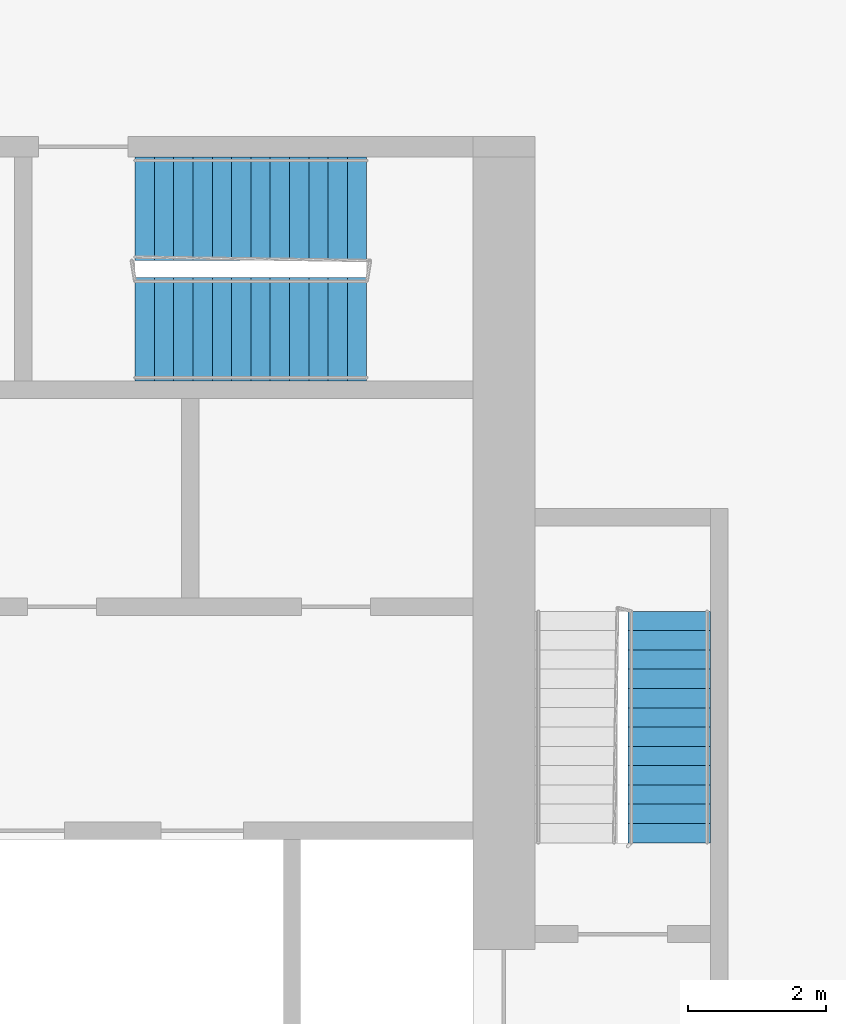
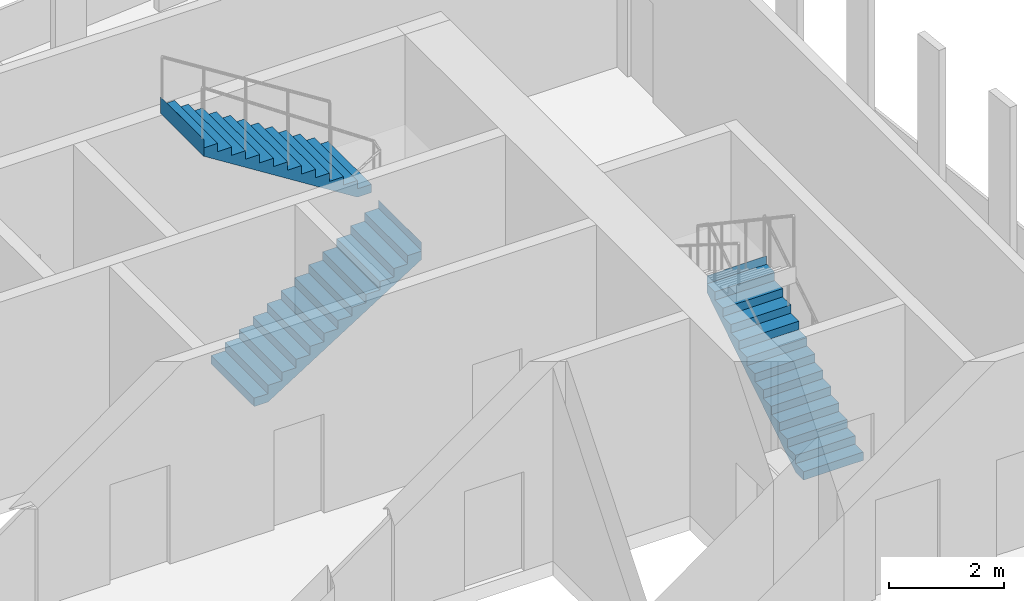
# One storey, part 24 of 26: 3 stair flights, 2 elements without a shape of their own.
"""IFC4 building model written with IfcOpenShell, lengths in metres."""

from ifc_helpers import new_model, si_unit, direction, frame, origin, place, context, subcontext, project, spatial, faceted_brep, material, type_object, element, aggregate, save


model = new_model("IFC4")

# Units and contexts
model_context = context("Model", 3, precision=1e-05, world=origin(), true_north=direction((0.0, 1.0)))
body_context = subcontext(model_context, "Body", "Model", "MODEL_VIEW")
ifc_project = project(units=[si_unit("LENGTHUNIT", "METRE"), si_unit("AREAUNIT", "SQUARE_METRE"), si_unit("VOLUMEUNIT", "CUBIC_METRE"), si_unit("PLANEANGLEUNIT", "RADIAN"), si_unit("MASSUNIT", "GRAM", prefix="KILO")], contexts=[model_context])

# Site, building, storey
site_placement = place(None, origin())
site = spatial("IfcSite", under=ifc_project, at=site_placement, CompositionType="ELEMENT")
building_placement = place(site_placement, origin())
building = spatial("IfcBuilding", under=site, at=building_placement, Name="Kajstack Hotel Tower", CompositionType="ELEMENT")
storey_placement = place(building_placement, frame((0.0, 0.0, 206.5)))
storey = spatial("IfcBuildingStorey", under=building, at=storey_placement, Name="L50", CompositionType="ELEMENT", Elevation=206.5)

# Stair, stair flight
ifc_material = material(Name="Concrete C40/50", Category="concrete")
stair_type_1 = type_object("IfcStairType", Name="Exit stair 1200", PredefinedType="HALF_TURN_STAIR", material=ifc_material)
stair_1_placement = place(storey_placement, origin())
stair_1 = element("IfcStair", 1, at=stair_1_placement, inside=storey, type_object=stair_type_1, Name="L50 stair E1", PredefinedType="HALF_TURN_STAIR")
stair_flight_type_1 = type_object("IfcStairFlightType", Name="Exit stair flight 1200", PredefinedType="STRAIGHT", material=ifc_material)
stair_flight_1_placement = place(storey_placement, frame((33.449951171875, 5.25, 0.0), z_axis=(0.0, 0.0, 1.0), x_axis=(0.0, 1.0, 0.0)))
stair_flight_1 = element("IfcStairFlight", 2, at=stair_flight_1_placement, type_object=stair_flight_type_1, Name="E1 flight 1", NumberOfRisers=13, NumberOfTreads=12, PredefinedType="STRAIGHT", RiserHeight=0.176923077, TreadLength=0.28, context=body_context, shape_type="Brep", body=[
    faceted_brep([(0.281005859375, -0.60009765625, 0.0), (3.360595703125, -0.60009765625, 1.94580078125), (3.360595703125, -0.60009765625, 2.300048828125), (3.360107421875, -0.60009765625, 2.300048828125), (3.360107421875, -0.60009765625, 2.123046875), (3.080078125, -0.60009765625, 2.123046875), (3.080078125, -0.60009765625, 1.946044921875), (2.800048828125, -0.60009765625, 1.946044921875), (2.800048828125, -0.60009765625, 1.769287109375), (2.52001953125, -0.60009765625, 1.769287109375), (2.52001953125, -0.60009765625, 1.59228515625), (2.239990234375, -0.60009765625, 1.59228515625), (2.239990234375, -0.60009765625, 1.415283203125), (1.9599609375, -0.60009765625, 1.415283203125), (1.9599609375, -0.60009765625, 1.238525390625), (1.679931640625, -0.60009765625, 1.238525390625), (1.679931640625, -0.60009765625, 1.0615234375), (1.39990234375, -0.60009765625, 1.0615234375), (1.39990234375, -0.60009765625, 0.884521484375), (1.1201171875, -0.60009765625, 0.884521484375), (1.1201171875, -0.60009765625, 0.707763671875), (0.840087890625, -0.60009765625, 0.707763671875), (0.840087890625, -0.60009765625, 0.53076171875), (0.56005859375, -0.60009765625, 0.53076171875), (0.56005859375, -0.60009765625, 0.353759765625), (0.280029296875, -0.60009765625, 0.353759765625), (0.280029296875, -0.60009765625, 0.177001953125), (-0.00048828125, -0.60009765625, 0.177001953125), (-0.00048828125, -0.60009765625, 0.0), (-0.00048828125, 0.60009765625, 0.0), (-0.00048828125, 0.60009765625, 0.177001953125), (0.280029296875, 0.60009765625, 0.177001953125), (0.280029296875, 0.60009765625, 0.353759765625), (0.56005859375, 0.60009765625, 0.353759765625), (0.56005859375, 0.60009765625, 0.53076171875), (0.840087890625, 0.60009765625, 0.53076171875), (0.840087890625, 0.60009765625, 0.707763671875), (1.1201171875, 0.60009765625, 0.707763671875), (1.1201171875, 0.60009765625, 0.884521484375), (1.39990234375, 0.60009765625, 0.884521484375), (1.39990234375, 0.60009765625, 1.0615234375), (1.679931640625, 0.60009765625, 1.0615234375), (1.679931640625, 0.60009765625, 1.238525390625), (1.9599609375, 0.60009765625, 1.238525390625), (1.9599609375, 0.60009765625, 1.415283203125), (2.239990234375, 0.60009765625, 1.415283203125), (2.239990234375, 0.60009765625, 1.59228515625), (2.52001953125, 0.60009765625, 1.59228515625), (2.52001953125, 0.60009765625, 1.769287109375), (2.800048828125, 0.60009765625, 1.769287109375), (2.800048828125, 0.60009765625, 1.946044921875), (3.080078125, 0.60009765625, 1.946044921875), (3.080078125, 0.60009765625, 2.123046875), (3.360107421875, 0.60009765625, 2.123046875), (3.360107421875, 0.60009765625, 2.300048828125), (3.360595703125, 0.60009765625, 2.300048828125), (3.360595703125, 0.60009765625, 1.94580078125), (0.281005859375, 0.60009765625, 0.0), (-0.00048828125, -0.300048828125, 0.177001953125), (-0.00048828125, 0.0, 0.177001953125), (-0.00048828125, 0.300048828125, 0.177001953125), (-0.00048828125, 0.300048828125, 0.0), (-0.00048828125, 0.0, 0.0), (-0.00048828125, -0.300048828125, 0.0), (0.280029296875, -0.300048828125, 0.177001953125), (0.280029296875, 0.0, 0.177001953125), (0.280029296875, 0.300048828125, 0.177001953125), (0.280029296875, -0.300048828125, 0.353759765625), (0.280029296875, 0.0, 0.353759765625), (0.280029296875, 0.300048828125, 0.353759765625), (0.56005859375, -0.300048828125, 0.353759765625), (0.56005859375, 0.0, 0.353759765625), (0.56005859375, 0.300048828125, 0.353759765625), (0.56005859375, -0.300048828125, 0.53076171875), (0.56005859375, 0.0, 0.53076171875), (0.56005859375, 0.300048828125, 0.53076171875), (0.840087890625, -0.300048828125, 0.53076171875), (0.840087890625, 0.0, 0.53076171875), (0.840087890625, 0.300048828125, 0.53076171875), (0.840087890625, -0.300048828125, 0.707763671875), (0.840087890625, 0.0, 0.707763671875), (0.840087890625, 0.300048828125, 0.707763671875), (1.1201171875, -0.300048828125, 0.707763671875), (1.1201171875, 0.0, 0.707763671875), (1.1201171875, 0.300048828125, 0.707763671875), (1.1201171875, -0.300048828125, 0.884521484375), (1.1201171875, 0.0, 0.884521484375), (1.1201171875, 0.300048828125, 0.884521484375), (1.39990234375, -0.300048828125, 0.884521484375), (1.39990234375, 0.0, 0.884521484375), (1.39990234375, 0.300048828125, 0.884521484375), (1.39990234375, -0.300048828125, 1.0615234375), (1.39990234375, 0.0, 1.0615234375), (1.39990234375, 0.300048828125, 1.0615234375), (1.679931640625, -0.300048828125, 1.0615234375), (1.679931640625, 0.0, 1.0615234375), (1.679931640625, 0.300048828125, 1.0615234375), (1.679931640625, -0.300048828125, 1.238525390625), (1.679931640625, 0.0, 1.238525390625), (1.679931640625, 0.300048828125, 1.238525390625), (1.9599609375, -0.300048828125, 1.238525390625), (1.9599609375, 0.0, 1.238525390625), (1.9599609375, 0.300048828125, 1.238525390625), (1.9599609375, -0.300048828125, 1.415283203125), (1.9599609375, 0.0, 1.415283203125), (1.9599609375, 0.300048828125, 1.415283203125), (2.239990234375, -0.300048828125, 1.415283203125), (2.239990234375, 0.0, 1.415283203125), (2.239990234375, 0.300048828125, 1.415283203125), (2.239990234375, -0.300048828125, 1.59228515625), (2.239990234375, 0.0, 1.59228515625), (2.239990234375, 0.300048828125, 1.59228515625), (2.52001953125, -0.300048828125, 1.59228515625), (2.52001953125, 0.0, 1.59228515625), (2.52001953125, 0.300048828125, 1.59228515625), (2.52001953125, -0.300048828125, 1.769287109375), (2.52001953125, 0.0, 1.769287109375), (2.52001953125, 0.300048828125, 1.769287109375), (2.800048828125, -0.300048828125, 1.769287109375), (2.800048828125, 0.0, 1.769287109375), (2.800048828125, 0.300048828125, 1.769287109375), (2.800048828125, -0.300048828125, 1.946044921875), (2.800048828125, 0.0, 1.946044921875), (2.800048828125, 0.300048828125, 1.946044921875), (3.080078125, -0.300048828125, 1.946044921875), (3.080078125, 0.0, 1.946044921875), (3.080078125, 0.300048828125, 1.946044921875), (3.080078125, -0.300048828125, 2.123046875), (3.080078125, 0.0, 2.123046875), (3.080078125, 0.300048828125, 2.123046875), (3.360107421875, -0.300048828125, 2.123046875), (3.360107421875, 0.0, 2.123046875), (3.360107421875, 0.300048828125, 2.123046875), (3.360107421875, -0.300048828125, 2.300048828125), (3.360107421875, 0.0, 2.300048828125), (3.360107421875, 0.300048828125, 2.300048828125), (3.360595703125, -0.300048828125, 2.300048828125), (3.360595703125, 0.0, 2.300048828125), (3.360595703125, 0.300048828125, 2.300048828125), (3.360595703125, -0.300048828125, 1.94580078125), (3.360595703125, 0.0, 1.94580078125), (3.360595703125, 0.300048828125, 1.94580078125), (0.281005859375, -0.300048828125, 0.0), (0.281005859375, 0.0, 0.0), (0.281005859375, 0.300048828125, 0.0)], [[[0, 1, 2, 3, 4, 5, 6, 7, 8, 9, 10, 11, 12, 13, 14, 15, 16, 17, 18, 19, 20, 21, 22, 23, 24, 25, 26, 27, 28]], [[29, 30, 31, 32, 33, 34, 35, 36, 37, 38, 39, 40, 41, 42, 43, 44, 45, 46, 47, 48, 49, 50, 51, 52, 53, 54, 55, 56, 57]], [[27, 58, 59, 60, 30, 29, 61, 62, 63, 28]], [[26, 64, 65, 66, 31, 30, 60, 59, 58, 27]], [[25, 67, 68, 69, 32, 31, 66, 65, 64, 26]], [[24, 70, 71, 72, 33, 32, 69, 68, 67, 25]], [[23, 73, 74, 75, 34, 33, 72, 71, 70, 24]], [[22, 76, 77, 78, 35, 34, 75, 74, 73, 23]], [[21, 79, 80, 81, 36, 35, 78, 77, 76, 22]], [[20, 82, 83, 84, 37, 36, 81, 80, 79, 21]], [[19, 85, 86, 87, 38, 37, 84, 83, 82, 20]], [[18, 88, 89, 90, 39, 38, 87, 86, 85, 19]], [[17, 91, 92, 93, 40, 39, 90, 89, 88, 18]], [[16, 94, 95, 96, 41, 40, 93, 92, 91, 17]], [[15, 97, 98, 99, 42, 41, 96, 95, 94, 16]], [[14, 100, 101, 102, 43, 42, 99, 98, 97, 15]], [[13, 103, 104, 105, 44, 43, 102, 101, 100, 14]], [[12, 106, 107, 108, 45, 44, 105, 104, 103, 13]], [[11, 109, 110, 111, 46, 45, 108, 107, 106, 12]], [[10, 112, 113, 114, 47, 46, 111, 110, 109, 11]], [[9, 115, 116, 117, 48, 47, 114, 113, 112, 10]], [[8, 118, 119, 120, 49, 48, 117, 116, 115, 9]], [[7, 121, 122, 123, 50, 49, 120, 119, 118, 8]], [[6, 124, 125, 126, 51, 50, 123, 122, 121, 7]], [[5, 127, 128, 129, 52, 51, 126, 125, 124, 6]], [[4, 130, 131, 132, 53, 52, 129, 128, 127, 5]], [[3, 133, 134, 135, 54, 53, 132, 131, 130, 4]], [[2, 136, 137, 138, 55, 54, 135, 134, 133, 3]], [[1, 139, 140, 141, 56, 55, 138, 137, 136, 2]], [[0, 142, 143, 144, 57, 56, 141, 140, 139, 1]], [[28, 63, 62, 61, 29, 57, 144, 143, 142, 0]]]),
])
aggregate(stair_1, [stair_flight_1])

# Stair, stair flights
stair_type_2 = type_object("IfcStairType", Name="Exit stair 1500", PredefinedType="HALF_TURN_STAIR", material=ifc_material)
stair_2_placement = place(storey_placement, origin())
stair_2 = element("IfcStair", 3, at=stair_2_placement, inside=storey, type_object=stair_type_2, Name="L50 stair E3", PredefinedType="HALF_TURN_STAIR")
stair_flight_type_2 = type_object("IfcStairFlightType", Name="Exit stair flight 1500", PredefinedType="STRAIGHT", material=ifc_material)
stair_flight_2_placement = place(storey_placement, frame((25.699951171875, 12.699951171875, 0.0), z_axis=(0.0, 0.0, 1.0), x_axis=(1.0, 0.0, 0.0)))
stair_flight_2 = element("IfcStairFlight", 4, at=stair_flight_2_placement, type_object=stair_flight_type_2, Name="E3 flight 1", NumberOfRisers=13, NumberOfTreads=12, PredefinedType="STRAIGHT", RiserHeight=0.176923077, TreadLength=0.28, context=body_context, shape_type="Brep", body=[
    faceted_brep([(0.281005859375, -0.75, 0.0), (3.360595703125, -0.75, 1.94580078125), (3.360595703125, -0.75, 2.300048828125), (3.360107421875, -0.75, 2.300048828125), (3.360107421875, -0.75, 2.123046875), (3.080078125, -0.75, 2.123046875), (3.080078125, -0.75, 1.946044921875), (2.800048828125, -0.75, 1.946044921875), (2.800048828125, -0.75, 1.769287109375), (2.52001953125, -0.75, 1.769287109375), (2.52001953125, -0.75, 1.59228515625), (2.239990234375, -0.75, 1.59228515625), (2.239990234375, -0.75, 1.415283203125), (1.9599609375, -0.75, 1.415283203125), (1.9599609375, -0.75, 1.238525390625), (1.679931640625, -0.75, 1.238525390625), (1.679931640625, -0.75, 1.0615234375), (1.39990234375, -0.75, 1.0615234375), (1.39990234375, -0.75, 0.884521484375), (1.1201171875, -0.75, 0.884521484375), (1.1201171875, -0.75, 0.707763671875), (0.840087890625, -0.75, 0.707763671875), (0.840087890625, -0.75, 0.53076171875), (0.56005859375, -0.75, 0.53076171875), (0.56005859375, -0.75, 0.353759765625), (0.280029296875, -0.75, 0.353759765625), (0.280029296875, -0.75, 0.177001953125), (-0.00048828125, -0.75, 0.177001953125), (-0.00048828125, -0.75, 0.0), (-0.00048828125, 0.75, 0.0), (-0.00048828125, 0.75, 0.177001953125), (0.280029296875, 0.75, 0.177001953125), (0.280029296875, 0.75, 0.353759765625), (0.56005859375, 0.75, 0.353759765625), (0.56005859375, 0.75, 0.53076171875), (0.840087890625, 0.75, 0.53076171875), (0.840087890625, 0.75, 0.707763671875), (1.1201171875, 0.75, 0.707763671875), (1.1201171875, 0.75, 0.884521484375), (1.39990234375, 0.75, 0.884521484375), (1.39990234375, 0.75, 1.0615234375), (1.679931640625, 0.75, 1.0615234375), (1.679931640625, 0.75, 1.238525390625), (1.9599609375, 0.75, 1.238525390625), (1.9599609375, 0.75, 1.415283203125), (2.239990234375, 0.75, 1.415283203125), (2.239990234375, 0.75, 1.59228515625), (2.52001953125, 0.75, 1.59228515625), (2.52001953125, 0.75, 1.769287109375), (2.800048828125, 0.75, 1.769287109375), (2.800048828125, 0.75, 1.946044921875), (3.080078125, 0.75, 1.946044921875), (3.080078125, 0.75, 2.123046875), (3.360107421875, 0.75, 2.123046875), (3.360107421875, 0.75, 2.300048828125), (3.360595703125, 0.75, 2.300048828125), (3.360595703125, 0.75, 1.94580078125), (0.281005859375, 0.75, 0.0), (-0.00048828125, -0.375, 0.177001953125), (-0.00048828125, 0.0, 0.177001953125), (-0.00048828125, 0.375, 0.177001953125), (-0.00048828125, 0.375, 0.0), (-0.00048828125, 0.0, 0.0), (-0.00048828125, -0.375, 0.0), (0.280029296875, -0.375, 0.177001953125), (0.280029296875, 0.0, 0.177001953125), (0.280029296875, 0.375, 0.177001953125), (0.280029296875, -0.375, 0.353759765625), (0.280029296875, 0.0, 0.353759765625), (0.280029296875, 0.375, 0.353759765625), (0.56005859375, -0.375, 0.353759765625), (0.56005859375, 0.0, 0.353759765625), (0.56005859375, 0.375, 0.353759765625), (0.56005859375, -0.375, 0.53076171875), (0.56005859375, 0.0, 0.53076171875), (0.56005859375, 0.375, 0.53076171875), (0.840087890625, -0.375, 0.53076171875), (0.840087890625, 0.0, 0.53076171875), (0.840087890625, 0.375, 0.53076171875), (0.840087890625, -0.375, 0.707763671875), (0.840087890625, 0.0, 0.707763671875), (0.840087890625, 0.375, 0.707763671875), (1.1201171875, -0.375, 0.707763671875), (1.1201171875, 0.0, 0.707763671875), (1.1201171875, 0.375, 0.707763671875), (1.1201171875, -0.375, 0.884521484375), (1.1201171875, 0.0, 0.884521484375), (1.1201171875, 0.375, 0.884521484375), (1.39990234375, -0.375, 0.884521484375), (1.39990234375, 0.0, 0.884521484375), (1.39990234375, 0.375, 0.884521484375), (1.39990234375, -0.375, 1.0615234375), (1.39990234375, 0.0, 1.0615234375), (1.39990234375, 0.375, 1.0615234375), (1.679931640625, -0.375, 1.0615234375), (1.679931640625, 0.0, 1.0615234375), (1.679931640625, 0.375, 1.0615234375), (1.679931640625, -0.375, 1.238525390625), (1.679931640625, 0.0, 1.238525390625), (1.679931640625, 0.375, 1.238525390625), (1.9599609375, -0.375, 1.238525390625), (1.9599609375, 0.0, 1.238525390625), (1.9599609375, 0.375, 1.238525390625), (1.9599609375, -0.375, 1.415283203125), (1.9599609375, 0.0, 1.415283203125), (1.9599609375, 0.375, 1.415283203125), (2.239990234375, -0.375, 1.415283203125), (2.239990234375, 0.0, 1.415283203125), (2.239990234375, 0.375, 1.415283203125), (2.239990234375, -0.375, 1.59228515625), (2.239990234375, 0.0, 1.59228515625), (2.239990234375, 0.375, 1.59228515625), (2.52001953125, -0.375, 1.59228515625), (2.52001953125, 0.0, 1.59228515625), (2.52001953125, 0.375, 1.59228515625), (2.52001953125, -0.375, 1.769287109375), (2.52001953125, 0.0, 1.769287109375), (2.52001953125, 0.375, 1.769287109375), (2.800048828125, -0.375, 1.769287109375), (2.800048828125, 0.0, 1.769287109375), (2.800048828125, 0.375, 1.769287109375), (2.800048828125, -0.375, 1.946044921875), (2.800048828125, 0.0, 1.946044921875), (2.800048828125, 0.375, 1.946044921875), (3.080078125, -0.375, 1.946044921875), (3.080078125, 0.0, 1.946044921875), (3.080078125, 0.375, 1.946044921875), (3.080078125, -0.375, 2.123046875), (3.080078125, 0.0, 2.123046875), (3.080078125, 0.375, 2.123046875), (3.360107421875, -0.375, 2.123046875), (3.360107421875, 0.0, 2.123046875), (3.360107421875, 0.375, 2.123046875), (3.360107421875, -0.375, 2.300048828125), (3.360107421875, 0.0, 2.300048828125), (3.360107421875, 0.375, 2.300048828125), (3.360595703125, -0.375, 2.300048828125), (3.360595703125, 0.0, 2.300048828125), (3.360595703125, 0.375, 2.300048828125), (3.360595703125, -0.375, 1.94580078125), (3.360595703125, 0.0, 1.94580078125), (3.360595703125, 0.375, 1.94580078125), (0.281005859375, -0.375, 0.0), (0.281005859375, 0.0, 0.0), (0.281005859375, 0.375, 0.0)], [[[0, 1, 2, 3, 4, 5, 6, 7, 8, 9, 10, 11, 12, 13, 14, 15, 16, 17, 18, 19, 20, 21, 22, 23, 24, 25, 26, 27, 28]], [[29, 30, 31, 32, 33, 34, 35, 36, 37, 38, 39, 40, 41, 42, 43, 44, 45, 46, 47, 48, 49, 50, 51, 52, 53, 54, 55, 56, 57]], [[27, 58, 59, 60, 30, 29, 61, 62, 63, 28]], [[26, 64, 65, 66, 31, 30, 60, 59, 58, 27]], [[25, 67, 68, 69, 32, 31, 66, 65, 64, 26]], [[24, 70, 71, 72, 33, 32, 69, 68, 67, 25]], [[23, 73, 74, 75, 34, 33, 72, 71, 70, 24]], [[22, 76, 77, 78, 35, 34, 75, 74, 73, 23]], [[21, 79, 80, 81, 36, 35, 78, 77, 76, 22]], [[20, 82, 83, 84, 37, 36, 81, 80, 79, 21]], [[19, 85, 86, 87, 38, 37, 84, 83, 82, 20]], [[18, 88, 89, 90, 39, 38, 87, 86, 85, 19]], [[17, 91, 92, 93, 40, 39, 90, 89, 88, 18]], [[16, 94, 95, 96, 41, 40, 93, 92, 91, 17]], [[15, 97, 98, 99, 42, 41, 96, 95, 94, 16]], [[14, 100, 101, 102, 43, 42, 99, 98, 97, 15]], [[13, 103, 104, 105, 44, 43, 102, 101, 100, 14]], [[12, 106, 107, 108, 45, 44, 105, 104, 103, 13]], [[11, 109, 110, 111, 46, 45, 108, 107, 106, 12]], [[10, 112, 113, 114, 47, 46, 111, 110, 109, 11]], [[9, 115, 116, 117, 48, 47, 114, 113, 112, 10]], [[8, 118, 119, 120, 49, 48, 117, 116, 115, 9]], [[7, 121, 122, 123, 50, 49, 120, 119, 118, 8]], [[6, 124, 125, 126, 51, 50, 123, 122, 121, 7]], [[5, 127, 128, 129, 52, 51, 126, 125, 124, 6]], [[4, 130, 131, 132, 53, 52, 129, 128, 127, 5]], [[3, 133, 134, 135, 54, 53, 132, 131, 130, 4]], [[2, 136, 137, 138, 55, 54, 135, 134, 133, 3]], [[1, 139, 140, 141, 56, 55, 138, 137, 136, 2]], [[0, 142, 143, 144, 57, 56, 141, 140, 139, 1]], [[28, 63, 62, 61, 29, 57, 144, 143, 142, 0]]]),
])
stair_flight_3_placement = place(storey_placement, frame((29.06005859375, 14.449951171875, 2.300048828125), z_axis=(0.0, 0.0, 1.0), x_axis=(-1.0, 0.0, 0.0)))
stair_flight_3 = element("IfcStairFlight", 5, at=stair_flight_3_placement, type_object=stair_flight_type_2, Name="E3 flight 2", NumberOfRisers=13, NumberOfTreads=12, PredefinedType="STRAIGHT", RiserHeight=0.176923077, TreadLength=0.28, context=body_context, shape_type="Brep", body=[
    faceted_brep([(0.281005859375, -0.75, 0.0), (3.360595703125, -0.75, 1.94580078125), (3.360595703125, -0.75, 2.300048828125), (3.360107421875, -0.75, 2.300048828125), (3.360107421875, -0.75, 2.123046875), (3.080078125, -0.75, 2.123046875), (3.080078125, -0.75, 1.946044921875), (2.800048828125, -0.75, 1.946044921875), (2.800048828125, -0.75, 1.769287109375), (2.52001953125, -0.75, 1.769287109375), (2.52001953125, -0.75, 1.59228515625), (2.239990234375, -0.75, 1.59228515625), (2.239990234375, -0.75, 1.415283203125), (1.9599609375, -0.75, 1.415283203125), (1.9599609375, -0.75, 1.238525390625), (1.679931640625, -0.75, 1.238525390625), (1.679931640625, -0.75, 1.0615234375), (1.39990234375, -0.75, 1.0615234375), (1.39990234375, -0.75, 0.884521484375), (1.1201171875, -0.75, 0.884521484375), (1.1201171875, -0.75, 0.707763671875), (0.840087890625, -0.75, 0.707763671875), (0.840087890625, -0.75, 0.53076171875), (0.56005859375, -0.75, 0.53076171875), (0.56005859375, -0.75, 0.353759765625), (0.280029296875, -0.75, 0.353759765625), (0.280029296875, -0.75, 0.177001953125), (-0.00048828125, -0.75, 0.177001953125), (-0.00048828125, -0.75, 0.0), (-0.00048828125, 0.75, 0.0), (-0.00048828125, 0.75, 0.177001953125), (0.280029296875, 0.75, 0.177001953125), (0.280029296875, 0.75, 0.353759765625), (0.56005859375, 0.75, 0.353759765625), (0.56005859375, 0.75, 0.53076171875), (0.840087890625, 0.75, 0.53076171875), (0.840087890625, 0.75, 0.707763671875), (1.1201171875, 0.75, 0.707763671875), (1.1201171875, 0.75, 0.884521484375), (1.39990234375, 0.75, 0.884521484375), (1.39990234375, 0.75, 1.0615234375), (1.679931640625, 0.75, 1.0615234375), (1.679931640625, 0.75, 1.238525390625), (1.9599609375, 0.75, 1.238525390625), (1.9599609375, 0.75, 1.415283203125), (2.239990234375, 0.75, 1.415283203125), (2.239990234375, 0.75, 1.59228515625), (2.52001953125, 0.75, 1.59228515625), (2.52001953125, 0.75, 1.769287109375), (2.800048828125, 0.75, 1.769287109375), (2.800048828125, 0.75, 1.946044921875), (3.080078125, 0.75, 1.946044921875), (3.080078125, 0.75, 2.123046875), (3.360107421875, 0.75, 2.123046875), (3.360107421875, 0.75, 2.300048828125), (3.360595703125, 0.75, 2.300048828125), (3.360595703125, 0.75, 1.94580078125), (0.281005859375, 0.75, 0.0), (-0.00048828125, -0.375, 0.177001953125), (-0.00048828125, 0.0, 0.177001953125), (-0.00048828125, 0.375, 0.177001953125), (-0.00048828125, 0.375, 0.0), (-0.00048828125, 0.0, 0.0), (-0.00048828125, -0.375, 0.0), (0.280029296875, -0.375, 0.177001953125), (0.280029296875, 0.0, 0.177001953125), (0.280029296875, 0.375, 0.177001953125), (0.280029296875, -0.375, 0.353759765625), (0.280029296875, 0.0, 0.353759765625), (0.280029296875, 0.375, 0.353759765625), (0.56005859375, -0.375, 0.353759765625), (0.56005859375, 0.0, 0.353759765625), (0.56005859375, 0.375, 0.353759765625), (0.56005859375, -0.375, 0.53076171875), (0.56005859375, 0.0, 0.53076171875), (0.56005859375, 0.375, 0.53076171875), (0.840087890625, -0.375, 0.53076171875), (0.840087890625, 0.0, 0.53076171875), (0.840087890625, 0.375, 0.53076171875), (0.840087890625, -0.375, 0.707763671875), (0.840087890625, 0.0, 0.707763671875), (0.840087890625, 0.375, 0.707763671875), (1.1201171875, -0.375, 0.707763671875), (1.1201171875, 0.0, 0.707763671875), (1.1201171875, 0.375, 0.707763671875), (1.1201171875, -0.375, 0.884521484375), (1.1201171875, 0.0, 0.884521484375), (1.1201171875, 0.375, 0.884521484375), (1.39990234375, -0.375, 0.884521484375), (1.39990234375, 0.0, 0.884521484375), (1.39990234375, 0.375, 0.884521484375), (1.39990234375, -0.375, 1.0615234375), (1.39990234375, 0.0, 1.0615234375), (1.39990234375, 0.375, 1.0615234375), (1.679931640625, -0.375, 1.0615234375), (1.679931640625, 0.0, 1.0615234375), (1.679931640625, 0.375, 1.0615234375), (1.679931640625, -0.375, 1.238525390625), (1.679931640625, 0.0, 1.238525390625), (1.679931640625, 0.375, 1.238525390625), (1.9599609375, -0.375, 1.238525390625), (1.9599609375, 0.0, 1.238525390625), (1.9599609375, 0.375, 1.238525390625), (1.9599609375, -0.375, 1.415283203125), (1.9599609375, 0.0, 1.415283203125), (1.9599609375, 0.375, 1.415283203125), (2.239990234375, -0.375, 1.415283203125), (2.239990234375, 0.0, 1.415283203125), (2.239990234375, 0.375, 1.415283203125), (2.239990234375, -0.375, 1.59228515625), (2.239990234375, 0.0, 1.59228515625), (2.239990234375, 0.375, 1.59228515625), (2.52001953125, -0.375, 1.59228515625), (2.52001953125, 0.0, 1.59228515625), (2.52001953125, 0.375, 1.59228515625), (2.52001953125, -0.375, 1.769287109375), (2.52001953125, 0.0, 1.769287109375), (2.52001953125, 0.375, 1.769287109375), (2.800048828125, -0.375, 1.769287109375), (2.800048828125, 0.0, 1.769287109375), (2.800048828125, 0.375, 1.769287109375), (2.800048828125, -0.375, 1.946044921875), (2.800048828125, 0.0, 1.946044921875), (2.800048828125, 0.375, 1.946044921875), (3.080078125, -0.375, 1.946044921875), (3.080078125, 0.0, 1.946044921875), (3.080078125, 0.375, 1.946044921875), (3.080078125, -0.375, 2.123046875), (3.080078125, 0.0, 2.123046875), (3.080078125, 0.375, 2.123046875), (3.360107421875, -0.375, 2.123046875), (3.360107421875, 0.0, 2.123046875), (3.360107421875, 0.375, 2.123046875), (3.360107421875, -0.375, 2.300048828125), (3.360107421875, 0.0, 2.300048828125), (3.360107421875, 0.375, 2.300048828125), (3.360595703125, -0.375, 2.300048828125), (3.360595703125, 0.0, 2.300048828125), (3.360595703125, 0.375, 2.300048828125), (3.360595703125, -0.375, 1.94580078125), (3.360595703125, 0.0, 1.94580078125), (3.360595703125, 0.375, 1.94580078125), (0.281005859375, -0.375, 0.0), (0.281005859375, 0.0, 0.0), (0.281005859375, 0.375, 0.0)], [[[0, 1, 2, 3, 4, 5, 6, 7, 8, 9, 10, 11, 12, 13, 14, 15, 16, 17, 18, 19, 20, 21, 22, 23, 24, 25, 26, 27, 28]], [[29, 30, 31, 32, 33, 34, 35, 36, 37, 38, 39, 40, 41, 42, 43, 44, 45, 46, 47, 48, 49, 50, 51, 52, 53, 54, 55, 56, 57]], [[27, 58, 59, 60, 30, 29, 61, 62, 63, 28]], [[26, 64, 65, 66, 31, 30, 60, 59, 58, 27]], [[25, 67, 68, 69, 32, 31, 66, 65, 64, 26]], [[24, 70, 71, 72, 33, 32, 69, 68, 67, 25]], [[23, 73, 74, 75, 34, 33, 72, 71, 70, 24]], [[22, 76, 77, 78, 35, 34, 75, 74, 73, 23]], [[21, 79, 80, 81, 36, 35, 78, 77, 76, 22]], [[20, 82, 83, 84, 37, 36, 81, 80, 79, 21]], [[19, 85, 86, 87, 38, 37, 84, 83, 82, 20]], [[18, 88, 89, 90, 39, 38, 87, 86, 85, 19]], [[17, 91, 92, 93, 40, 39, 90, 89, 88, 18]], [[16, 94, 95, 96, 41, 40, 93, 92, 91, 17]], [[15, 97, 98, 99, 42, 41, 96, 95, 94, 16]], [[14, 100, 101, 102, 43, 42, 99, 98, 97, 15]], [[13, 103, 104, 105, 44, 43, 102, 101, 100, 14]], [[12, 106, 107, 108, 45, 44, 105, 104, 103, 13]], [[11, 109, 110, 111, 46, 45, 108, 107, 106, 12]], [[10, 112, 113, 114, 47, 46, 111, 110, 109, 11]], [[9, 115, 116, 117, 48, 47, 114, 113, 112, 10]], [[8, 118, 119, 120, 49, 48, 117, 116, 115, 9]], [[7, 121, 122, 123, 50, 49, 120, 119, 118, 8]], [[6, 124, 125, 126, 51, 50, 123, 122, 121, 7]], [[5, 127, 128, 129, 52, 51, 126, 125, 124, 6]], [[4, 130, 131, 132, 53, 52, 129, 128, 127, 5]], [[3, 133, 134, 135, 54, 53, 132, 131, 130, 4]], [[2, 136, 137, 138, 55, 54, 135, 134, 133, 3]], [[1, 139, 140, 141, 56, 55, 138, 137, 136, 2]], [[0, 142, 143, 144, 57, 56, 141, 140, 139, 1]], [[28, 63, 62, 61, 29, 57, 144, 143, 142, 0]]]),
])
aggregate(stair_2, [stair_flight_2, stair_flight_3])

save(model, "model.ifc")
